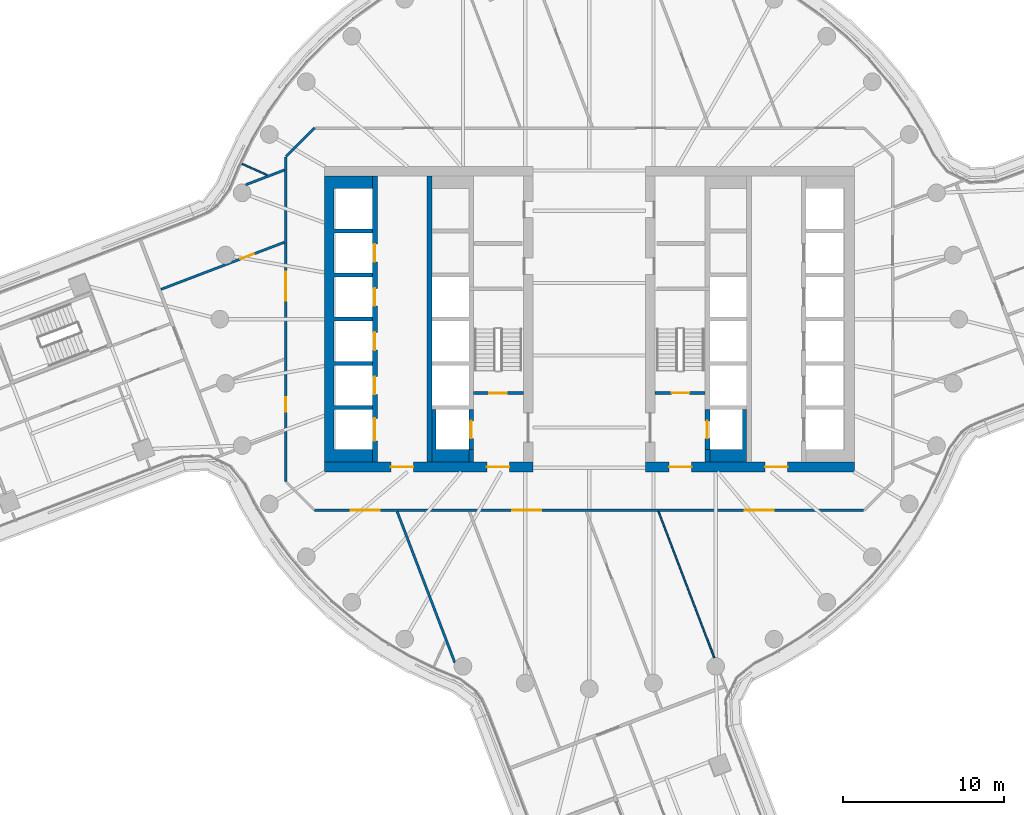
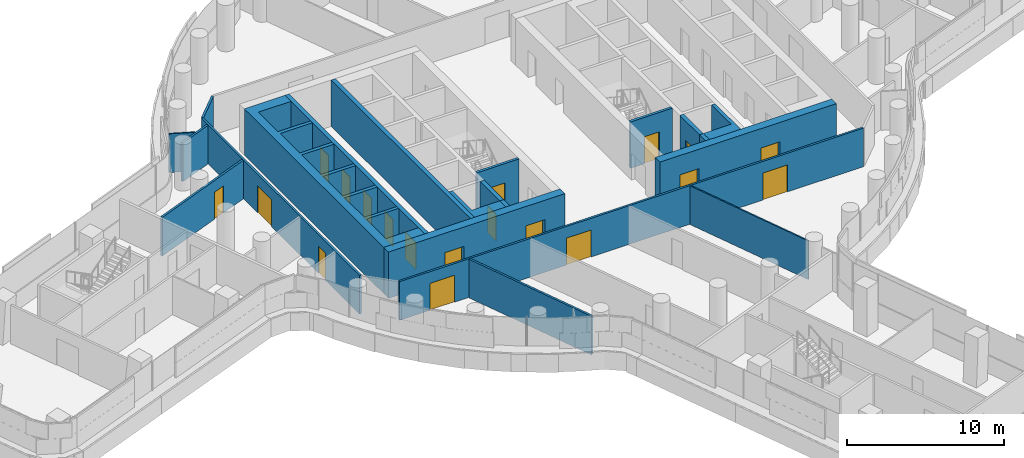
# One storey, part 21 of 32: 21 walls, 19 doors, 19 openings.
"""IFC4 building model written with IfcOpenShell, lengths in metres."""

from ifc_helpers import new_model, si_unit, direction, frame, frame_2d, origin, place, context, subcontext, project, spatial, polyline, rectangle, outline, extrude, material, layer, layer_set, type_object, element, fill, save


model = new_model("IFC4")

# Units and contexts
model_context = context("Model", 3, precision=1e-05, world=origin(), true_north=direction((0.0, 1.0)))
body_context = subcontext(model_context, "Body", "Model", "MODEL_VIEW")
ifc_project = project(units=[si_unit("LENGTHUNIT", "METRE"), si_unit("AREAUNIT", "SQUARE_METRE"), si_unit("VOLUMEUNIT", "CUBIC_METRE"), si_unit("PLANEANGLEUNIT", "RADIAN"), si_unit("MASSUNIT", "GRAM", prefix="KILO")], contexts=[model_context])

# Site, building, storey
site_placement = place(None, origin())
site = spatial("IfcSite", under=ifc_project, at=site_placement, CompositionType="ELEMENT")
building_placement = place(site_placement, origin())
building = spatial("IfcBuilding", under=site, at=building_placement, Name="Tamarind Cross Interchange Tower", CompositionType="ELEMENT")
storey_placement = place(building_placement, frame((0.0, 0.0, 109.75)))
storey = spatial("IfcBuildingStorey", under=building, at=storey_placement, Name="L26", CompositionType="ELEMENT", Elevation=109.75)

# Wall, openings, doors
ifc_material_1 = material(Name="Concrete C70", Category="concrete")
ifc_layer_1 = layer(ifc_material_1, 0.60009765625)
ifc_layer_set_1 = layer_set([ifc_layer_1], Name="Concrete C70")
wall_type_1 = type_object("IfcWallType", Name="Core wall 600 mm Concrete C70", PredefinedType="SHEAR", material=ifc_layer_set_1)
wall_1_placement = place(storey_placement, frame((-16.5, -9.199951171875, 0.0), z_axis=(0.0, 0.0, 1.0), x_axis=(1.0, 0.0, 0.0)))
wall_1 = element("IfcWall", 1, at=wall_1_placement, inside=storey, type_object=wall_type_1, Name="Core wall CWL-L26-W-S", PredefinedType="SHEAR", context=body_context, shape_type="SweptSolid", body=[
    extrude(rectangle(XDim=13.0, YDim=0.60009765625, at=frame_2d((6.5, 0.0))), origin(), (0.0, 0.0, 1.0), 3.610107421875),
])
opening_1_placement = place(wall_1_placement, frame((4.14990234375, 0.0, 0.0)))
opening_1 = element("IfcOpeningElement", 2, at=opening_1_placement, cuts=wall_1, Name="Opening DCW1", PredefinedType="OPENING", context=body_context, shape_type="SweptSolid", body=[
    extrude(rectangle(XDim=1.39990234375, YDim=2.10009765625, at=frame_2d((0.699951171875, 1.050048828125))), frame((0.0, 0.31005859375, 0.0), z_axis=(0.0, -1.0, 0.0), x_axis=(1.0, 0.0, 0.0)), (0.0, 0.0, 1.0), 0.6201171875),
])
opening_2_placement = place(wall_1_placement, frame((10.125, 0.0, 0.0)))
opening_2 = element("IfcOpeningElement", 3, at=opening_2_placement, cuts=wall_1, Name="Opening DCWF", PredefinedType="OPENING", context=body_context, shape_type="SweptSolid", body=[
    extrude(rectangle(XDim=1.39990234375, YDim=2.10009765625, at=frame_2d((0.699951171875, 1.050048828125))), frame((0.0, 0.31005859375, 0.0), z_axis=(0.0, -1.0, 0.0), x_axis=(1.0, 0.0, 0.0)), (0.0, 0.0, 1.0), 0.6201171875),
])
ifc_material_2 = material(Name="Steel, fire-resisting", Category="steel")
door_type_1 = type_object("IfcDoorType", Name="Core fire door 1400 x 2100 FD90", OperationType="SINGLE_SWING_LEFT", PredefinedType="DOOR", material=ifc_material_2)
door_1_placement = place(opening_1_placement, origin())
door_1 = element("IfcDoor", 4, at=door_1_placement, inside=storey, type_object=door_type_1, Name="L26 lift lobby door", OperationType="SINGLE_SWING_LEFT", OverallHeight=2.10009765625, OverallWidth=1.39990234375, PredefinedType="DOOR", context=body_context, shape_type="SweptSolid", body=[
    extrude(rectangle(XDim=1.39990234375, YDim=2.10009765625, at=frame_2d((0.699951171875, 1.050048828125))), frame((0.0, 0.02490234375, 0.0), z_axis=(0.0, -1.0, 0.0), x_axis=(1.0, 0.0, 0.0)), (0.0, 0.0, 1.0), 0.050048828125),
])
fill(opening_1, door_1)
door_2_placement = place(opening_2_placement, origin())
door_2 = element("IfcDoor", 5, at=door_2_placement, inside=storey, type_object=door_type_1, Name="L26 firefighting lobby end door", OperationType="SINGLE_SWING_LEFT", OverallHeight=2.10009765625, OverallWidth=1.39990234375, PredefinedType="DOOR", context=body_context, shape_type="SweptSolid", body=[
    extrude(rectangle(XDim=1.39990234375, YDim=2.10009765625, at=frame_2d((0.699951171875, 1.050048828125))), frame((0.0, 0.02490234375, 0.0), z_axis=(0.0, -1.0, 0.0), x_axis=(1.0, 0.0, 0.0)), (0.0, 0.0, 1.0), 0.050048828125),
])
fill(opening_2, door_2)

# Wall
wall_2_placement = place(storey_placement, origin())
element("IfcWall", 6, at=wall_2_placement, inside=storey, type_object=wall_type_1, Name="Core wall CWL-L26-W-A", PredefinedType="SHEAR", context=body_context, shape_type="SweptSolid", body=[
    extrude(outline(polyline([(-13.5, -8.89990234375), (-13.5, -8.125), (-15.89990234375, -8.125), (-15.89990234375, -5.625), (-13.5, -5.625), (-13.5, -5.375), (-15.89990234375, -5.375), (-15.89990234375, -2.875), (-13.5, -2.875), (-13.5, -2.625), (-15.89990234375, -2.625), (-15.89990234375, -0.125), (-13.5, -0.125), (-13.5, 0.125), (-15.89990234375, 0.125), (-15.89990234375, 2.625), (-13.5, 2.625), (-13.5, 2.875), (-15.89990234375, 2.875), (-15.89990234375, 5.375), (-13.5, 5.375), (-13.5, 5.625), (-15.89990234375, 5.625), (-15.89990234375, 8.125), (-13.5, 8.125), (-13.5, 8.89990234375), (-15.89990234375, 8.89990234375), (-16.5, 8.89990234375), (-16.5, -8.89990234375), (-15.89990234375, -8.89990234375), (-13.5, -8.89990234375)])), origin(), (0.0, 0.0, 1.0), 3.610107421875),
])

# Wall, openings, doors
wall_3_placement = place(storey_placement, frame((16.5, -9.199951171875, 0.0), z_axis=(0.0, 0.0, 1.0), x_axis=(-1.0, 0.0, 0.0)))
wall_3 = element("IfcWall", 7, at=wall_3_placement, inside=storey, type_object=wall_type_1, Name="Core wall CWL-L26-E-S", PredefinedType="SHEAR", context=body_context, shape_type="SweptSolid", body=[
    extrude(rectangle(XDim=13.0, YDim=0.60009765625, at=frame_2d((6.5, 0.0))), origin(), (0.0, 0.0, 1.0), 3.610107421875),
])
opening_3_placement = place(wall_3_placement, frame((4.14990234375, 0.0, 0.0)))
opening_3 = element("IfcOpeningElement", 8, at=opening_3_placement, cuts=wall_3, Name="Opening DCE1", PredefinedType="OPENING", context=body_context, shape_type="SweptSolid", body=[
    extrude(rectangle(XDim=1.39990234375, YDim=2.10009765625, at=frame_2d((0.699951171875, 1.050048828125))), frame((0.0, 0.31005859375, 0.0), z_axis=(0.0, -1.0, 0.0), x_axis=(1.0, 0.0, 0.0)), (0.0, 0.0, 1.0), 0.6201171875),
])
opening_4_placement = place(wall_3_placement, frame((10.125, 0.0, 0.0)))
opening_4 = element("IfcOpeningElement", 9, at=opening_4_placement, cuts=wall_3, Name="Opening DCEF", PredefinedType="OPENING", context=body_context, shape_type="SweptSolid", body=[
    extrude(rectangle(XDim=1.39990234375, YDim=2.10009765625, at=frame_2d((0.699951171875, 1.050048828125))), frame((0.0, 0.31005859375, 0.0), z_axis=(0.0, -1.0, 0.0), x_axis=(1.0, 0.0, 0.0)), (0.0, 0.0, 1.0), 0.6201171875),
])
door_3_placement = place(opening_3_placement, origin())
door_3 = element("IfcDoor", 10, at=door_3_placement, inside=storey, type_object=door_type_1, Name="L26 lift lobby door", OperationType="SINGLE_SWING_LEFT", OverallHeight=2.10009765625, OverallWidth=1.39990234375, PredefinedType="DOOR", context=body_context, shape_type="SweptSolid", body=[
    extrude(rectangle(XDim=1.39990234375, YDim=2.10009765625, at=frame_2d((0.699951171875, 1.050048828125))), frame((0.0, 0.02490234375, 0.0), z_axis=(0.0, -1.0, 0.0), x_axis=(1.0, 0.0, 0.0)), (0.0, 0.0, 1.0), 0.050048828125),
])
fill(opening_3, door_3)
door_4_placement = place(opening_4_placement, origin())
door_4 = element("IfcDoor", 11, at=door_4_placement, inside=storey, type_object=door_type_1, Name="L26 firefighting lobby end door", OperationType="SINGLE_SWING_LEFT", OverallHeight=2.10009765625, OverallWidth=1.39990234375, PredefinedType="DOOR", context=body_context, shape_type="SweptSolid", body=[
    extrude(rectangle(XDim=1.39990234375, YDim=2.10009765625, at=frame_2d((0.699951171875, 1.050048828125))), frame((0.0, 0.02490234375, 0.0), z_axis=(0.0, -1.0, 0.0), x_axis=(1.0, 0.0, 0.0)), (0.0, 0.0, 1.0), 0.050048828125),
])
fill(opening_4, door_4)

# Walls
ifc_layer_2 = layer(ifc_material_1, 0.300048828125)
ifc_layer_set_2 = layer_set([ifc_layer_2], Name="Concrete C70")
wall_type_2 = type_object("IfcWallType", Name="Core web wall 300 mm Concrete C70", PredefinedType="SHEAR", material=ifc_layer_set_2)
wall_4_placement = place(storey_placement, origin())
element("IfcWall", 12, at=wall_4_placement, inside=storey, type_object=wall_type_2, Name="Core wall CWL-L26-W-BS", PredefinedType="SHEAR", context=body_context, shape_type="SweptSolid", body=[
    extrude(outline(polyline([(-7.5, -8.125), (-9.550048828125, -8.125), (-9.550048828125, -5.625), (-9.800048828125, -5.625), (-9.800048828125, -8.125), (-9.800048828125, -8.89990234375), (-7.5, -8.89990234375), (-7.5, -8.125)])), origin(), (0.0, 0.0, 1.0), 3.610107421875),
])
wall_5_placement = place(storey_placement, frame((-7.35009765625, -8.89990234375, 0.0), z_axis=(0.0, 0.0, 1.0), x_axis=(0.0, 1.0, 0.0)))
element("IfcWall", 13, at=wall_5_placement, inside=storey, type_object=wall_type_2, Name="Core wall CWL-L26-W-BW", PredefinedType="SHEAR", context=body_context, shape_type="SweptSolid", body=[
    extrude(rectangle(XDim=0.77490234375, YDim=0.300048828125, at=frame_2d((0.387451171875, 0.0))), origin(), (0.0, 0.0, 1.0), 3.610107421875),
])

# Wall, openings, doors
wall_6_placement = place(storey_placement, frame((-13.35009765625, -8.89990234375, 0.0), z_axis=(0.0, 0.0, 1.0), x_axis=(0.0, 1.0, 0.0)))
wall_6 = element("IfcWall", 14, at=wall_6_placement, inside=storey, type_object=wall_type_2, Name="Core wall CWL-L26-W-LA", PredefinedType="SHEAR", context=body_context, shape_type="SweptSolid", body=[
    extrude(rectangle(XDim=17.7998046875, YDim=0.300048828125, at=frame_2d((8.89990234375, 0.0))), origin(), (0.0, 0.0, 1.0), 3.610107421875),
])
opening_5_placement = place(wall_6_placement, frame((1.324951171875, 0.0, 0.0)))
opening_5 = element("IfcOpeningElement", 15, at=opening_5_placement, cuts=wall_6, Name="Opening LD1L26", PredefinedType="OPENING", context=body_context, shape_type="SweptSolid", body=[
    extrude(rectangle(XDim=1.39990234375, YDim=2.10009765625, at=frame_2d((0.699951171875, 1.050048828125))), frame((0.0, 0.159912109375, 0.0), z_axis=(0.0, -1.0, 0.0), x_axis=(1.0, 0.0, 0.0)), (0.0, 0.0, 1.0), 0.320068359375),
])
opening_6_placement = place(wall_6_placement, frame((4.22509765625, 0.0, 0.0)))
opening_6 = element("IfcOpeningElement", 16, at=opening_6_placement, cuts=wall_6, Name="Opening LD2L26", PredefinedType="OPENING", context=body_context, shape_type="SweptSolid", body=[
    extrude(rectangle(XDim=1.10009765625, YDim=2.10009765625, at=frame_2d((0.550048828125, 1.050048828125))), frame((0.0, 0.159912109375, 0.0), z_axis=(0.0, -1.0, 0.0), x_axis=(1.0, 0.0, 0.0)), (0.0, 0.0, 1.0), 0.320068359375),
])
opening_7_placement = place(wall_6_placement, frame((6.97509765625, 0.0, 0.0)))
opening_7 = element("IfcOpeningElement", 17, at=opening_7_placement, cuts=wall_6, Name="Opening LD3L26", PredefinedType="OPENING", context=body_context, shape_type="SweptSolid", body=[
    extrude(rectangle(XDim=1.10009765625, YDim=2.10009765625, at=frame_2d((0.550048828125, 1.050048828125))), frame((0.0, 0.159912109375, 0.0), z_axis=(0.0, -1.0, 0.0), x_axis=(1.0, 0.0, 0.0)), (0.0, 0.0, 1.0), 0.320068359375),
])
opening_8_placement = place(wall_6_placement, frame((9.72509765625, 0.0, 0.0)))
opening_8 = element("IfcOpeningElement", 18, at=opening_8_placement, cuts=wall_6, Name="Opening LD4L26", PredefinedType="OPENING", context=body_context, shape_type="SweptSolid", body=[
    extrude(rectangle(XDim=1.10009765625, YDim=2.10009765625, at=frame_2d((0.550048828125, 1.050048828125))), frame((0.0, 0.159912109375, 0.0), z_axis=(0.0, -1.0, 0.0), x_axis=(1.0, 0.0, 0.0)), (0.0, 0.0, 1.0), 0.320068359375),
])
opening_9_placement = place(wall_6_placement, frame((12.47509765625, 0.0, 0.0)))
opening_9 = element("IfcOpeningElement", 19, at=opening_9_placement, cuts=wall_6, Name="Opening LD5L26", PredefinedType="OPENING", context=body_context, shape_type="SweptSolid", body=[
    extrude(rectangle(XDim=1.10009765625, YDim=2.10009765625, at=frame_2d((0.550048828125, 1.050048828125))), frame((0.0, 0.159912109375, 0.0), z_axis=(0.0, -1.0, 0.0), x_axis=(1.0, 0.0, 0.0)), (0.0, 0.0, 1.0), 0.320068359375),
])
ifc_material_3 = material(Name="Stainless steel panel", Category="steel")
door_type_2 = type_object("IfcDoorType", Name="Lift landing door 1100 x 2100 E 120", OperationType="SLIDING_TO_LEFT", PredefinedType="DOOR", material=ifc_material_3)
door_5_placement = place(opening_6_placement, origin())
door_5 = element("IfcDoor", 20, at=door_5_placement, inside=storey, type_object=door_type_2, Name="L26 landing door LF2", OperationType="SLIDING_TO_LEFT", OverallHeight=2.10009765625, OverallWidth=1.10009765625, PredefinedType="DOOR", context=body_context, shape_type="SweptSolid", body=[
    extrude(rectangle(XDim=1.10009765625, YDim=2.10009765625, at=frame_2d((0.550048828125, 1.050048828125))), frame((0.0, 0.02490234375, 0.0), z_axis=(0.0, -1.0, 0.0), x_axis=(1.0, 0.0, 0.0)), (0.0, 0.0, 1.0), 0.050048828125),
])
fill(opening_6, door_5)
door_6_placement = place(opening_7_placement, origin())
door_6 = element("IfcDoor", 21, at=door_6_placement, inside=storey, type_object=door_type_2, Name="L26 landing door LF3", OperationType="SLIDING_TO_LEFT", OverallHeight=2.10009765625, OverallWidth=1.10009765625, PredefinedType="DOOR", context=body_context, shape_type="SweptSolid", body=[
    extrude(rectangle(XDim=1.10009765625, YDim=2.10009765625, at=frame_2d((0.550048828125, 1.050048828125))), frame((0.0, 0.02490234375, 0.0), z_axis=(0.0, -1.0, 0.0), x_axis=(1.0, 0.0, 0.0)), (0.0, 0.0, 1.0), 0.050048828125),
])
fill(opening_7, door_6)
door_7_placement = place(opening_8_placement, origin())
door_7 = element("IfcDoor", 22, at=door_7_placement, inside=storey, type_object=door_type_2, Name="L26 landing door LF4", OperationType="SLIDING_TO_LEFT", OverallHeight=2.10009765625, OverallWidth=1.10009765625, PredefinedType="DOOR", context=body_context, shape_type="SweptSolid", body=[
    extrude(rectangle(XDim=1.10009765625, YDim=2.10009765625, at=frame_2d((0.550048828125, 1.050048828125))), frame((0.0, 0.02490234375, 0.0), z_axis=(0.0, -1.0, 0.0), x_axis=(1.0, 0.0, 0.0)), (0.0, 0.0, 1.0), 0.050048828125),
])
fill(opening_8, door_7)
door_8_placement = place(opening_9_placement, origin())
door_8 = element("IfcDoor", 23, at=door_8_placement, inside=storey, type_object=door_type_2, Name="L26 landing door LF5", OperationType="SLIDING_TO_LEFT", OverallHeight=2.10009765625, OverallWidth=1.10009765625, PredefinedType="DOOR", context=body_context, shape_type="SweptSolid", body=[
    extrude(rectangle(XDim=1.10009765625, YDim=2.10009765625, at=frame_2d((0.550048828125, 1.050048828125))), frame((0.0, 0.02490234375, 0.0), z_axis=(0.0, -1.0, 0.0), x_axis=(1.0, 0.0, 0.0)), (0.0, 0.0, 1.0), 0.050048828125),
])
fill(opening_9, door_8)
door_type_3 = type_object("IfcDoorType", Name="Lift landing door 1400 x 2100 E 120", OperationType="SLIDING_TO_LEFT", PredefinedType="DOOR", material=ifc_material_3)
door_9_placement = place(opening_5_placement, origin())
door_9 = element("IfcDoor", 24, at=door_9_placement, inside=storey, type_object=door_type_3, Name="L26 landing door LF1", OperationType="SLIDING_TO_LEFT", OverallHeight=2.10009765625, OverallWidth=1.39990234375, PredefinedType="DOOR", context=body_context, shape_type="SweptSolid", body=[
    extrude(rectangle(XDim=1.39990234375, YDim=2.10009765625, at=frame_2d((0.699951171875, 1.050048828125))), frame((0.0, 0.02490234375, 0.0), z_axis=(0.0, -1.0, 0.0), x_axis=(1.0, 0.0, 0.0)), (0.0, 0.0, 1.0), 0.050048828125),
])
fill(opening_5, door_9)

# Wall
wall_7_placement = place(storey_placement, frame((-9.949951171875, -8.89990234375, 0.0), z_axis=(0.0, 0.0, 1.0), x_axis=(0.0, 1.0, 0.0)))
element("IfcWall", 25, at=wall_7_placement, inside=storey, type_object=wall_type_2, Name="Core wall CWL-L26-W-LB", PredefinedType="SHEAR", context=body_context, shape_type="SweptSolid", body=[
    extrude(rectangle(XDim=17.7998046875, YDim=0.300048828125, at=frame_2d((8.89990234375, 0.0))), origin(), (0.0, 0.0, 1.0), 3.610107421875),
])

# Wall, opening, door
wall_8_placement = place(storey_placement, frame((-7.35009765625, -8.125, 0.0), z_axis=(0.0, 0.0, 1.0), x_axis=(0.0, 1.0, 0.0)))
wall_8 = element("IfcWall", 26, at=wall_8_placement, inside=storey, type_object=wall_type_2, Name="Core wall CWL-L26-W-FF", PredefinedType="SHEAR", context=body_context, shape_type="SweptSolid", body=[
    extrude(rectangle(XDim=2.5, YDim=0.300048828125, at=frame_2d((1.25, 0.0))), origin(), (0.0, 0.0, 1.0), 3.610107421875),
])
opening_10_placement = place(wall_8_placement, frame((0.699951171875, 0.0, 0.0)))
opening_10 = element("IfcOpeningElement", 27, at=opening_10_placement, cuts=wall_8, Name="Opening LD7L26", PredefinedType="OPENING", context=body_context, shape_type="SweptSolid", body=[
    extrude(rectangle(XDim=1.10009765625, YDim=2.10009765625, at=frame_2d((0.550048828125, 1.050048828125))), frame((0.0, 0.159912109375, 0.0), z_axis=(0.0, -1.0, 0.0), x_axis=(1.0, 0.0, 0.0)), (0.0, 0.0, 1.0), 0.320068359375),
])
door_10_placement = place(opening_10_placement, origin())
door_10 = element("IfcDoor", 28, at=door_10_placement, inside=storey, type_object=door_type_2, Name="L26 landing door LF7", OperationType="SLIDING_TO_LEFT", OverallHeight=2.10009765625, OverallWidth=1.10009765625, PredefinedType="DOOR", context=body_context, shape_type="SweptSolid", body=[
    extrude(rectangle(XDim=1.10009765625, YDim=2.10009765625, at=frame_2d((0.550048828125, 1.050048828125))), frame((0.0, 0.02490234375, 0.0), z_axis=(0.0, -1.0, 0.0), x_axis=(1.0, 0.0, 0.0)), (0.0, 0.0, 1.0), 0.050048828125),
])
fill(opening_10, door_10)

# Walls
wall_9_placement = place(storey_placement, origin())
element("IfcWall", 29, at=wall_9_placement, inside=storey, type_object=wall_type_2, Name="Core wall CWL-L26-E-BS", PredefinedType="SHEAR", context=body_context, shape_type="SweptSolid", body=[
    extrude(outline(polyline([(7.5, -8.125), (7.5, -8.89990234375), (9.800048828125, -8.89990234375), (9.800048828125, -8.125), (9.800048828125, -5.625), (9.550048828125, -5.625), (9.550048828125, -8.125), (7.5, -8.125)])), origin(), (0.0, 0.0, 1.0), 3.610107421875),
])
wall_10_placement = place(storey_placement, frame((7.35009765625, -8.89990234375, 0.0), z_axis=(0.0, 0.0, 1.0), x_axis=(0.0, 1.0, 0.0)))
element("IfcWall", 30, at=wall_10_placement, inside=storey, type_object=wall_type_2, Name="Core wall CWL-L26-E-BW", PredefinedType="SHEAR", context=body_context, shape_type="SweptSolid", body=[
    extrude(rectangle(XDim=0.77490234375, YDim=0.300048828125, at=frame_2d((0.387451171875, 0.0))), origin(), (0.0, 0.0, 1.0), 3.610107421875),
])

# Wall, opening, door
wall_11_placement = place(storey_placement, frame((7.35009765625, -8.125, 0.0), z_axis=(0.0, 0.0, 1.0), x_axis=(0.0, 1.0, 0.0)))
wall_11 = element("IfcWall", 31, at=wall_11_placement, inside=storey, type_object=wall_type_2, Name="Core wall CWL-L26-E-FF", PredefinedType="SHEAR", context=body_context, shape_type="SweptSolid", body=[
    extrude(rectangle(XDim=2.5, YDim=0.300048828125, at=frame_2d((1.25, 0.0))), origin(), (0.0, 0.0, 1.0), 3.610107421875),
])
opening_11_placement = place(wall_11_placement, frame((0.699951171875, 0.0, 0.0)))
opening_11 = element("IfcOpeningElement", 32, at=opening_11_placement, cuts=wall_11, Name="Opening LD19L26", PredefinedType="OPENING", context=body_context, shape_type="SweptSolid", body=[
    extrude(rectangle(XDim=1.10009765625, YDim=2.10009765625, at=frame_2d((0.550048828125, 1.050048828125))), frame((0.0, 0.159912109375, 0.0), z_axis=(0.0, -1.0, 0.0), x_axis=(1.0, 0.0, 0.0)), (0.0, 0.0, 1.0), 0.320068359375),
])
door_11_placement = place(opening_11_placement, origin())
door_11 = element("IfcDoor", 33, at=door_11_placement, inside=storey, type_object=door_type_2, Name="L26 landing door LF19", OperationType="SLIDING_TO_LEFT", OverallHeight=2.10009765625, OverallWidth=1.10009765625, PredefinedType="DOOR", context=body_context, shape_type="SweptSolid", body=[
    extrude(rectangle(XDim=1.10009765625, YDim=2.10009765625, at=frame_2d((0.550048828125, 1.050048828125))), frame((0.0, 0.02490234375, 0.0), z_axis=(0.0, -1.0, 0.0), x_axis=(1.0, 0.0, 0.0)), (0.0, 0.0, 1.0), 0.050048828125),
])
fill(opening_11, door_11)

# Walls
ifc_material_4 = material(Name="Gypsum board partition on steel studs", Category="steel")
ifc_layer_3 = layer(ifc_material_4, 0.10009765625)
ifc_layer_set_3 = layer_set([ifc_layer_3], Name="Gypsum board partition on steel studs")
wall_type_3 = type_object("IfcWallType", Name="Partition 100 mm EI 90", PredefinedType="PARTITIONING", material=ifc_layer_set_3)
wall_12_placement = place(storey_placement, frame((4.3076171875, -11.974609375, 0.0), z_axis=(0.0, 0.0, 1.0), x_axis=(0.356626799022, -0.934246930003, 0.0)))
element("IfcWall", 34, at=wall_12_placement, inside=storey, type_object=wall_type_3, Name="Partition L26-024", PredefinedType="PARTITIONING", context=body_context, shape_type="SweptSolid", body=[
    extrude(rectangle(XDim=9.74169921875, YDim=0.10009765625, at=frame_2d((4.870849609375, 0.0))), origin(), (0.0, 0.0, 1.0), 3.010009765625),
])
wall_13_placement = place(storey_placement, frame((-21.619873046875, 9.672607421875, 0.0), z_axis=(0.0, 0.0, 1.0), x_axis=(0.912814026116, -0.408375505785, 0.0)))
element("IfcWall", 35, at=wall_13_placement, inside=storey, type_object=wall_type_3, Name="Partition L26-034", PredefinedType="PARTITIONING", context=body_context, shape_type="SweptSolid", body=[
    extrude(rectangle(XDim=1.7001953125, YDim=0.10009765625, at=frame_2d((0.85009765625, 0.0))), origin(), (0.0, 0.0, 1.0), 3.010009765625),
])
ifc_layer_4 = layer(ifc_material_4, 0.14990234375)
ifc_layer_set_4 = layer_set([ifc_layer_4], Name="Gypsum board partition on steel studs")
wall_type_4 = type_object("IfcWallType", Name="Partition 150 mm EI 120", PredefinedType="PARTITIONING", material=ifc_layer_set_4)
wall_14_placement = place(storey_placement, frame((-11.958984375, -11.984130859375, 0.0), z_axis=(0.0, 0.0, 1.0), x_axis=(0.356734269096, -0.934205898747, 0.0)))
element("IfcWall", 36, at=wall_14_placement, inside=storey, type_object=wall_type_4, Name="Partition L26-007", PredefinedType="PARTITIONING", context=body_context, shape_type="SweptSolid", body=[
    extrude(rectangle(XDim=10.0693359375, YDim=0.14990234375, at=frame_2d((5.03466796875, 0.0))), origin(), (0.0, 0.0, 1.0), 3.010009765625),
])

# Wall, openings, doors
wall_15_placement = place(storey_placement, frame((-17.10009765625, -11.89990234375, 0.0), z_axis=(0.0, 0.0, 1.0), x_axis=(1.0, 0.0, 0.0)))
wall_15 = element("IfcWall", 37, at=wall_15_placement, inside=storey, type_object=wall_type_4, Name="Partition L26-036", PredefinedType="PARTITIONING", context=body_context, shape_type="SweptSolid", body=[
    extrude(rectangle(XDim=34.1650390625, YDim=0.14990234375, at=frame_2d((17.08251953125, 0.0))), origin(), (0.0, 0.0, 1.0), 3.010009765625),
])
opening_12_placement = place(wall_15_placement, frame((12.304931640625, 0.0, 0.0)))
opening_12 = element("IfcOpeningElement", 38, at=opening_12_placement, cuts=wall_15, Name="Opening D23", PredefinedType="OPENING", context=body_context, shape_type="SweptSolid", body=[
    extrude(rectangle(XDim=1.800048828125, YDim=2.10009765625, at=frame_2d((0.89990234375, 1.050048828125))), frame((0.0, 0.0849609375, 0.0), z_axis=(0.0, -1.0, 0.0), x_axis=(1.0, 0.0, 0.0)), (0.0, 0.0, 1.0), 0.169921875),
])
opening_13_placement = place(wall_15_placement, frame((2.25, 0.0, 0.0)))
opening_13 = element("IfcOpeningElement", 39, at=opening_13_placement, cuts=wall_15, Name="Opening D24", PredefinedType="OPENING", context=body_context, shape_type="SweptSolid", body=[
    extrude(rectangle(XDim=1.800048828125, YDim=2.10009765625, at=frame_2d((0.89990234375, 1.050048828125))), frame((0.0, 0.0849609375, 0.0), z_axis=(0.0, -1.0, 0.0), x_axis=(1.0, 0.0, 0.0)), (0.0, 0.0, 1.0), 0.169921875),
])
opening_14_placement = place(wall_15_placement, frame((26.779052734375, 0.0, 0.0)))
opening_14 = element("IfcOpeningElement", 40, at=opening_14_placement, cuts=wall_15, Name="Opening D25", PredefinedType="OPENING", context=body_context, shape_type="SweptSolid", body=[
    extrude(rectangle(XDim=1.800048828125, YDim=2.10009765625, at=frame_2d((0.89990234375, 1.050048828125))), frame((0.0, 0.0849609375, 0.0), z_axis=(0.0, -1.0, 0.0), x_axis=(1.0, 0.0, 0.0)), (0.0, 0.0, 1.0), 0.169921875),
])
ifc_material_5 = material(Name="Fire-resisting door set")
door_type_4 = type_object("IfcDoorType", Name="Interior door 1800 x 2100 FD60S", OperationType="DOUBLE_DOOR_SINGLE_SWING", PredefinedType="DOOR", material=ifc_material_5)
door_12_placement = place(opening_12_placement, origin())
door_12 = element("IfcDoor", 41, at=door_12_placement, inside=storey, type_object=door_type_4, Name="Door D23", OperationType="DOUBLE_DOOR_SINGLE_SWING", OverallHeight=2.10009765625, OverallWidth=1.800048828125, PredefinedType="DOOR", context=body_context, shape_type="SweptSolid", body=[
    extrude(rectangle(XDim=1.800048828125, YDim=2.10009765625, at=frame_2d((0.89990234375, 1.050048828125))), frame((0.0, 0.02490234375, 0.0), z_axis=(0.0, -1.0, 0.0), x_axis=(1.0, 0.0, 0.0)), (0.0, 0.0, 1.0), 0.050048828125),
])
fill(opening_12, door_12)
door_13_placement = place(opening_13_placement, frame((1.800048828125, 0.0, 0.0), z_axis=(0.0, 0.0, 1.0), x_axis=(-1.0, 0.0, 0.0)))
door_13 = element("IfcDoor", 42, at=door_13_placement, inside=storey, type_object=door_type_4, Name="Door D24", OperationType="DOUBLE_DOOR_SINGLE_SWING", OverallHeight=2.10009765625, OverallWidth=1.800048828125, PredefinedType="DOOR", context=body_context, shape_type="SweptSolid", body=[
    extrude(rectangle(XDim=1.800048828125, YDim=2.10009765625, at=frame_2d((0.89990234375, 1.050048828125))), frame((0.0, 0.02490234375, 0.0), z_axis=(0.0, -1.0, 0.0), x_axis=(1.0, 0.0, 0.0)), (0.0, 0.0, 1.0), 0.050048828125),
])
fill(opening_13, door_13)
door_14_placement = place(opening_14_placement, frame((1.800048828125, 0.0, 0.0), z_axis=(0.0, 0.0, 1.0), x_axis=(-1.0, 0.0, 0.0)))
door_14 = element("IfcDoor", 43, at=door_14_placement, inside=storey, type_object=door_type_4, Name="Door D25", OperationType="DOUBLE_DOOR_SINGLE_SWING", OverallHeight=2.10009765625, OverallWidth=1.800048828125, PredefinedType="DOOR", context=body_context, shape_type="SweptSolid", body=[
    extrude(rectangle(XDim=1.800048828125, YDim=2.10009765625, at=frame_2d((0.89990234375, 1.050048828125))), frame((0.0, 0.02490234375, 0.0), z_axis=(0.0, -1.0, 0.0), x_axis=(1.0, 0.0, 0.0)), (0.0, 0.0, 1.0), 0.050048828125),
])
fill(opening_14, door_14)

# Wall, opening, door
wall_16_placement = place(storey_placement, frame((-26.664794921875, 1.8583984375, 0.0), z_axis=(0.0, 0.0, 1.0), x_axis=(0.934218386179, 0.356701565632, 0.0)))
wall_16 = element("IfcWall", 44, at=wall_16_placement, inside=storey, type_object=wall_type_4, Name="Partition L26-041", PredefinedType="PARTITIONING", context=body_context, shape_type="SweptSolid", body=[
    extrude(rectangle(XDim=8.221435546875, YDim=0.14990234375, at=frame_2d((4.11083984375, 0.0))), origin(), (0.0, 0.0, 1.0), 3.010009765625),
])
opening_15_placement = place(wall_16_placement, frame((5.294921875, 0.0, 0.0)))
opening_15 = element("IfcOpeningElement", 45, at=opening_15_placement, cuts=wall_16, Name="Opening D32", PredefinedType="OPENING", context=body_context, shape_type="SweptSolid", body=[
    extrude(rectangle(XDim=0.89990234375, YDim=2.10009765625, at=frame_2d((0.449951171875, 1.050048828125))), frame((0.0, 0.0849609375, 0.0), z_axis=(0.0, -1.0, 0.0), x_axis=(1.0, 0.0, 0.0)), (0.0, 0.0, 1.0), 0.169921875),
])
door_type_5 = type_object("IfcDoorType", Name="Interior door 900 x 2100 FD60S", OperationType="SINGLE_SWING_LEFT", PredefinedType="DOOR", material=ifc_material_5)
door_15_placement = place(opening_15_placement, origin())
door_15 = element("IfcDoor", 46, at=door_15_placement, inside=storey, type_object=door_type_5, Name="Door D32", OperationType="SINGLE_SWING_LEFT", OverallHeight=2.10009765625, OverallWidth=0.89990234375, PredefinedType="DOOR", context=body_context, shape_type="SweptSolid", body=[
    extrude(rectangle(XDim=0.89990234375, YDim=2.10009765625, at=frame_2d((0.449951171875, 1.050048828125))), frame((0.0, 0.02490234375, 0.0), z_axis=(0.0, -1.0, 0.0), x_axis=(1.0, 0.0, 0.0)), (0.0, 0.0, 1.0), 0.050048828125),
])
fill(opening_15, door_15)

# Walls
wall_17_placement = place(storey_placement, frame((-21.39208984375, 8.3671875, 0.0), z_axis=(0.0, 0.0, 1.0), x_axis=(0.934182801588, 0.356794749425, 0.0)))
element("IfcWall", 47, at=wall_17_placement, inside=storey, type_object=wall_type_4, Name="Partition L26-046", PredefinedType="PARTITIONING", context=body_context, shape_type="SweptSolid", body=[
    extrude(rectangle(XDim=2.57763671875, YDim=0.14990234375, at=frame_2d((1.288818359375, 0.0))), origin(), (0.0, 0.0, 1.0), 3.010009765625),
])
wall_18_placement = place(storey_placement, frame((-18.87158203125, 10.12841796875, 0.0), z_axis=(0.0, 0.0, 1.0), x_axis=(0.707106781187, 0.707106781187, 0.0)))
element("IfcWall", 48, at=wall_18_placement, inside=storey, type_object=wall_type_4, Name="Partition L26-072", PredefinedType="PARTITIONING", context=body_context, shape_type="SweptSolid", body=[
    extrude(rectangle(XDim=2.50537109375, YDim=0.14990234375, at=frame_2d((1.252685546875, 0.0))), origin(), (0.0, 0.0, 1.0), 3.010009765625),
])

# Wall, openings, doors
wall_19_placement = place(storey_placement, frame((-18.89990234375, -10.10009765625, 0.0), z_axis=(0.0, 0.0, 1.0), x_axis=(0.0, 1.0, 0.0)))
wall_19 = element("IfcWall", 49, at=wall_19_placement, inside=storey, type_object=wall_type_4, Name="Partition L26-076", PredefinedType="PARTITIONING", context=body_context, shape_type="SweptSolid", body=[
    extrude(rectangle(XDim=20.2001953125, YDim=0.14990234375, at=frame_2d((10.10009765625, 0.0))), origin(), (0.0, 0.0, 1.0), 3.010009765625),
])
opening_16_placement = place(wall_19_placement, frame((11.243896484375, 0.0, 0.0)))
opening_16 = element("IfcOpeningElement", 50, at=opening_16_placement, cuts=wall_19, Name="Opening D41", PredefinedType="OPENING", context=body_context, shape_type="SweptSolid", body=[
    extrude(rectangle(XDim=1.800048828125, YDim=2.10009765625, at=frame_2d((0.89990234375, 1.050048828125))), frame((0.0, 0.0849609375, 0.0), z_axis=(0.0, -1.0, 0.0), x_axis=(1.0, 0.0, 0.0)), (0.0, 0.0, 1.0), 0.169921875),
])
opening_17_placement = place(wall_19_placement, frame((4.347900390625, 0.0, 0.0)))
opening_17 = element("IfcOpeningElement", 51, at=opening_17_placement, cuts=wall_19, Name="Opening D42", PredefinedType="OPENING", context=body_context, shape_type="SweptSolid", body=[
    extrude(rectangle(XDim=0.89990234375, YDim=2.10009765625, at=frame_2d((0.449951171875, 1.050048828125))), frame((0.0, 0.0849609375, 0.0), z_axis=(0.0, -1.0, 0.0), x_axis=(1.0, 0.0, 0.0)), (0.0, 0.0, 1.0), 0.169921875),
])
door_16_placement = place(opening_16_placement, frame((1.800048828125, 0.0, 0.0), z_axis=(0.0, 0.0, 1.0), x_axis=(-1.0, 0.0, 0.0)))
door_16 = element("IfcDoor", 52, at=door_16_placement, inside=storey, type_object=door_type_4, Name="Door D41", OperationType="DOUBLE_DOOR_SINGLE_SWING", OverallHeight=2.10009765625, OverallWidth=1.800048828125, PredefinedType="DOOR", context=body_context, shape_type="SweptSolid", body=[
    extrude(rectangle(XDim=1.800048828125, YDim=2.10009765625, at=frame_2d((0.89990234375, 1.050048828125))), frame((0.0, 0.02490234375, 0.0), z_axis=(0.0, -1.0, 0.0), x_axis=(1.0, 0.0, 0.0)), (0.0, 0.0, 1.0), 0.050048828125),
])
fill(opening_16, door_16)
door_17_placement = place(opening_17_placement, origin())
door_17 = element("IfcDoor", 53, at=door_17_placement, inside=storey, type_object=door_type_5, Name="Door D42", OperationType="SINGLE_SWING_RIGHT", OverallHeight=2.10009765625, OverallWidth=0.89990234375, PredefinedType="DOOR", context=body_context, shape_type="SweptSolid", body=[
    extrude(rectangle(XDim=0.89990234375, YDim=2.10009765625, at=frame_2d((0.449951171875, 1.050048828125))), frame((0.0, 0.02490234375, 0.0), z_axis=(0.0, -1.0, 0.0), x_axis=(1.0, 0.0, 0.0)), (0.0, 0.0, 1.0), 0.050048828125),
])
fill(opening_17, door_17)

# Wall, opening, door
ifc_material_6 = material(Name="Concrete C40", Category="concrete")
ifc_layer_5 = layer(ifc_material_6, 0.199951171875)
ifc_layer_set_5 = layer_set([ifc_layer_5], Name="Concrete C40")
wall_type_5 = type_object("IfcWallType", Name="Stair shaft wall 200 mm Concrete C40", PredefinedType="SHEAR", material=ifc_layer_set_5)
wall_20_placement = place(storey_placement, frame((-7.199951171875, -4.60009765625, 0.0), z_axis=(0.0, 0.0, 1.0), x_axis=(1.0, 0.0, 0.0)))
wall_20 = element("IfcWall", 54, at=wall_20_placement, inside=storey, type_object=wall_type_5, Name="Core wall CWL-L26-W-SD", PredefinedType="SHEAR", context=body_context, shape_type="SweptSolid", body=[
    extrude(rectangle(XDim=3.099853515625, YDim=0.199951171875, at=frame_2d((1.5498046875, 0.0))), origin(), (0.0, 0.0, 1.0), 3.610107421875),
])
opening_18_placement = place(wall_20_placement, frame((0.97509765625, 0.0, 0.0)))
opening_18 = element("IfcOpeningElement", 55, at=opening_18_placement, cuts=wall_20, Name="Opening DCW6", PredefinedType="OPENING", context=body_context, shape_type="SweptSolid", body=[
    extrude(rectangle(XDim=1.10009765625, YDim=2.10009765625, at=frame_2d((0.550048828125, 1.050048828125))), frame((0.0, 0.10986328125, 0.0), z_axis=(0.0, -1.0, 0.0), x_axis=(1.0, 0.0, 0.0)), (0.0, 0.0, 1.0), 0.219970703125),
])
door_type_6 = type_object("IfcDoorType", Name="Core fire door 1100 x 2100 FD90", OperationType="SINGLE_SWING_LEFT", PredefinedType="DOOR", material=ifc_material_2)
door_18_placement = place(opening_18_placement, origin())
door_18 = element("IfcDoor", 56, at=door_18_placement, inside=storey, type_object=door_type_6, Name="L26 stair door", OperationType="SINGLE_SWING_LEFT", OverallHeight=2.10009765625, OverallWidth=1.10009765625, PredefinedType="DOOR", context=body_context, shape_type="SweptSolid", body=[
    extrude(rectangle(XDim=1.10009765625, YDim=2.10009765625, at=frame_2d((0.550048828125, 1.050048828125))), frame((0.0, 0.02490234375, 0.0), z_axis=(0.0, -1.0, 0.0), x_axis=(1.0, 0.0, 0.0)), (0.0, 0.0, 1.0), 0.050048828125),
])
fill(opening_18, door_18)

wall_21_placement = place(storey_placement, frame((7.199951171875, -4.60009765625, 0.0), z_axis=(0.0, 0.0, 1.0), x_axis=(-1.0, 0.0, 0.0)))
wall_21 = element("IfcWall", 57, at=wall_21_placement, inside=storey, type_object=wall_type_5, Name="Core wall CWL-L26-E-SD", PredefinedType="SHEAR", context=body_context, shape_type="SweptSolid", body=[
    extrude(rectangle(XDim=3.099853515625, YDim=0.199951171875, at=frame_2d((1.5498046875, 0.0))), origin(), (0.0, 0.0, 1.0), 3.610107421875),
])
opening_19_placement = place(wall_21_placement, frame((0.97509765625, 0.0, 0.0)))
opening_19 = element("IfcOpeningElement", 58, at=opening_19_placement, cuts=wall_21, Name="Opening DCE6", PredefinedType="OPENING", context=body_context, shape_type="SweptSolid", body=[
    extrude(rectangle(XDim=1.10009765625, YDim=2.10009765625, at=frame_2d((0.550048828125, 1.050048828125))), frame((0.0, 0.10986328125, 0.0), z_axis=(0.0, -1.0, 0.0), x_axis=(1.0, 0.0, 0.0)), (0.0, 0.0, 1.0), 0.219970703125),
])
door_19_placement = place(opening_19_placement, origin())
door_19 = element("IfcDoor", 59, at=door_19_placement, inside=storey, type_object=door_type_6, Name="L26 stair door", OperationType="SINGLE_SWING_LEFT", OverallHeight=2.10009765625, OverallWidth=1.10009765625, PredefinedType="DOOR", context=body_context, shape_type="SweptSolid", body=[
    extrude(rectangle(XDim=1.10009765625, YDim=2.10009765625, at=frame_2d((0.550048828125, 1.050048828125))), frame((0.0, 0.02490234375, 0.0), z_axis=(0.0, -1.0, 0.0), x_axis=(1.0, 0.0, 0.0)), (0.0, 0.0, 1.0), 0.050048828125),
])
fill(opening_19, door_19)

save(model, "model.ifc")
